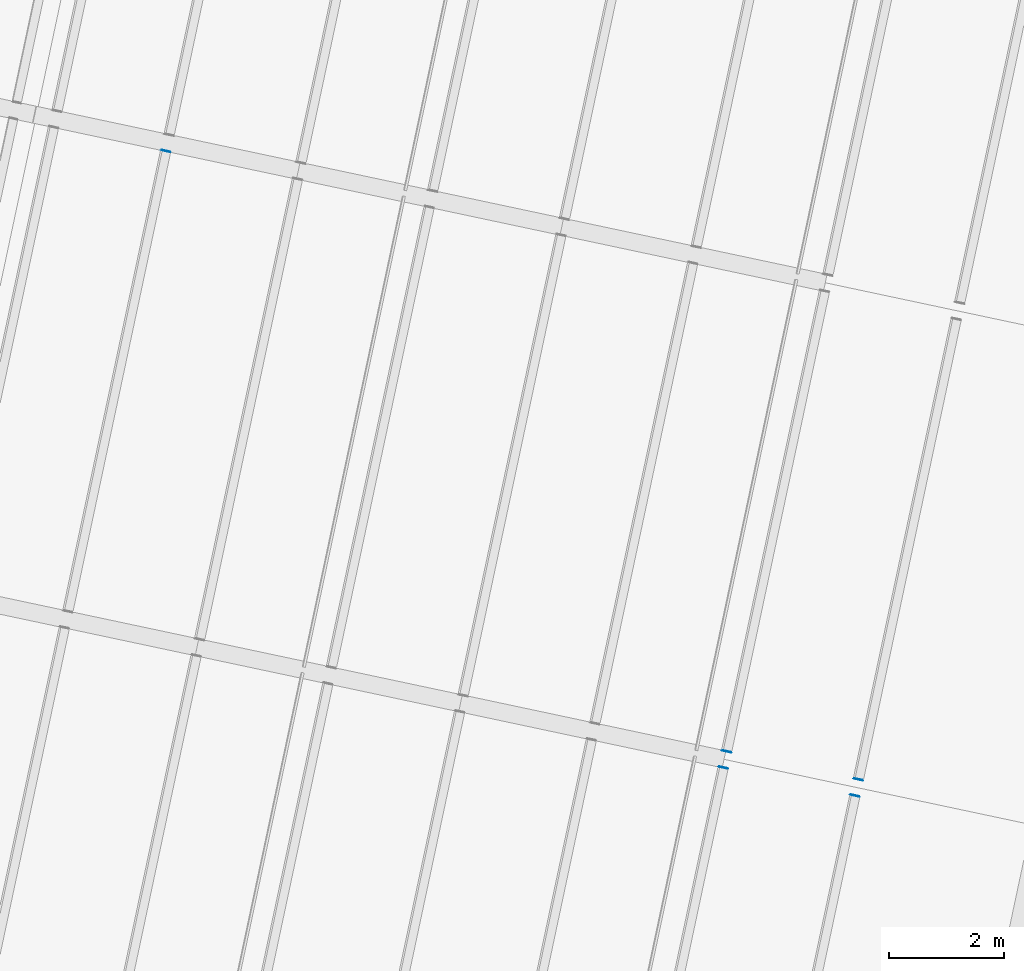
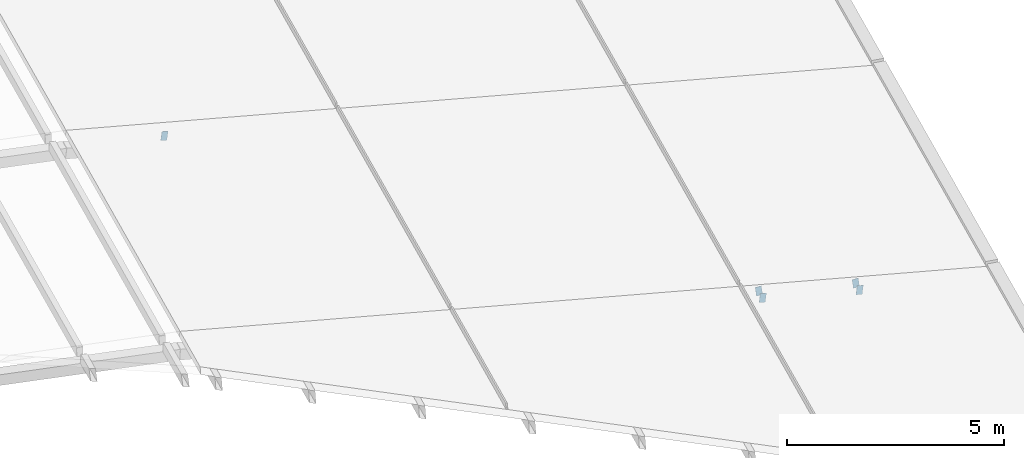
# One storey, part 163 of 196: 5 discrete accessories.
"""IFC4 building model written with IfcOpenShell, lengths in metres."""

from ifc_helpers import new_model, si_unit, direction, frame, origin, origin_2d, place, context, subcontext, project, spatial, rectangle, extrude, material, layer, layer_set, type_object, element, save


model = new_model("IFC4")

# Units and contexts
model_context = context("Model", 3, precision=1e-05, world=origin(), true_north=direction((0.0, 1.0)))
body_context = subcontext(model_context, "Body", "Model", "MODEL_VIEW")
ifc_project = project(units=[si_unit("LENGTHUNIT", "METRE"), si_unit("AREAUNIT", "SQUARE_METRE"), si_unit("VOLUMEUNIT", "CUBIC_METRE"), si_unit("PLANEANGLEUNIT", "RADIAN"), si_unit("MASSUNIT", "GRAM", prefix="KILO")], contexts=[model_context])

# Site, building, storey
site_placement = place(None, origin())
site = spatial("IfcSite", under=ifc_project, at=site_placement, CompositionType="ELEMENT")
building_placement = place(site_placement, origin())
building = spatial("IfcBuilding", under=site, at=building_placement, Name="Okhra Congress Centre", CompositionType="ELEMENT")
storey_placement = place(building_placement, frame((0.0, 0.0, 12.0)))
storey = spatial("IfcBuildingStorey", under=building, at=storey_placement, Name="L02", CompositionType="ELEMENT", Elevation=12.0)

# Discrete accessories
ifc_material = material(Name="Steel S355J2", Category="steel")
ifc_layer = layer(ifc_material, 0.011962890625)
ifc_layer_set = layer_set([ifc_layer], Name="Hollow section end cap 12 mm S355")
discrete_accessory_type = type_object("IfcDiscreteAccessoryType", Name="Hollow section end cap 12 mm S355", PredefinedType="BRACKET", material=ifc_layer_set)
for number, where, z_axis, x_axis, name in (
    (1, (255.8232421875, 109.71435546875, 0.5), (0.203954254112, 0.978980419738, 0.0), (-0.971683248143, 0.20243401003, 0.121869343405), "Hollow section end cap"),
    (2, (258.121826171875, 109.2255859375, 0.21142578125), (0.223376156329, 0.974732318528, 0.0), (-0.967466811636, 0.221711144333, 0.121869343405), "Hollow section end cap"),
    (3, (246.09716796875, 120.471435546875, 1.94287109375), (0.223376156329, 0.974732318528, 0.0), (-0.967466811636, 0.221711144333, 0.121869343405), "Hollow section end cap"),
):
    element("IfcDiscreteAccessory", number, at=place(storey_placement, frame(where, z_axis=z_axis, x_axis=x_axis)), inside=storey, type_object=discrete_accessory_type, Name=name, PredefinedType="BRACKET", context=body_context, shape_type="SweptSolid", body=[
        extrude(rectangle(XDim=0.14990234375, YDim=0.25, at=origin_2d()), origin(), (0.0, 0.0, 1.0), 0.011962890625),
    ])
discrete_accessory_1_placement = place(storey_placement, frame((255.8857421875, 110.0078125, 0.5), z_axis=(-0.219038342307, -0.975716252094, 0.0), x_axis=(0.968443411109, -0.217405663718, 0.121869343405)))
element("IfcDiscreteAccessory", 4, at=discrete_accessory_1_placement, inside=storey, type_object=discrete_accessory_type, Name="Hollow section end cap", PredefinedType="BRACKET", context=body_context, shape_type="SweptSolid", body=[
    extrude(rectangle(XDim=0.14990234375, YDim=0.25, at=origin_2d()), origin(), (0.0, 0.0, 1.0), 0.01220703125),
])
discrete_accessory_2_placement = place(storey_placement, frame((258.184326171875, 109.51904296875, 0.21142578125), z_axis=(-0.203954254112, -0.978980419738, 0.0), x_axis=(0.971683248143, -0.20243401003, 0.121869343405)))
element("IfcDiscreteAccessory", 5, at=discrete_accessory_2_placement, inside=storey, type_object=discrete_accessory_type, Name="Hollow section end cap", PredefinedType="BRACKET", context=body_context, shape_type="SweptSolid", body=[
    extrude(rectangle(XDim=0.14990234375, YDim=0.25, at=origin_2d()), origin(), (0.0, 0.0, 1.0), 0.011962890625),
])

save(model, "model.ifc")
